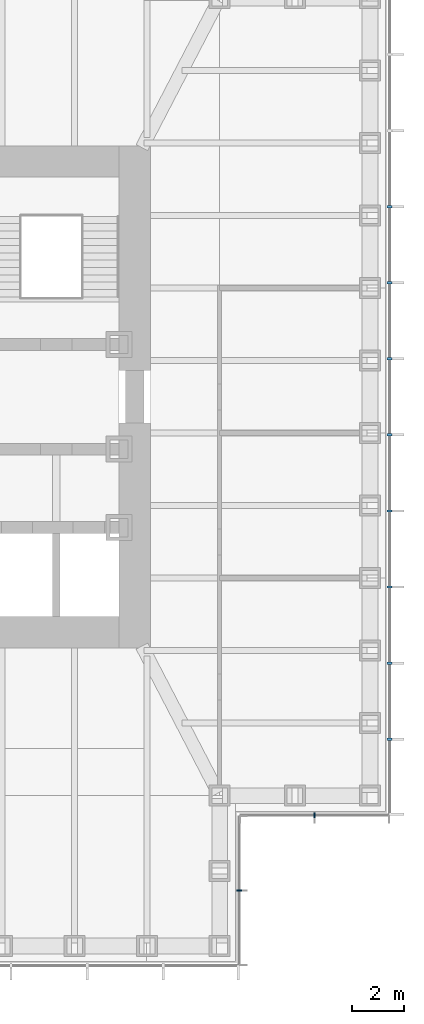
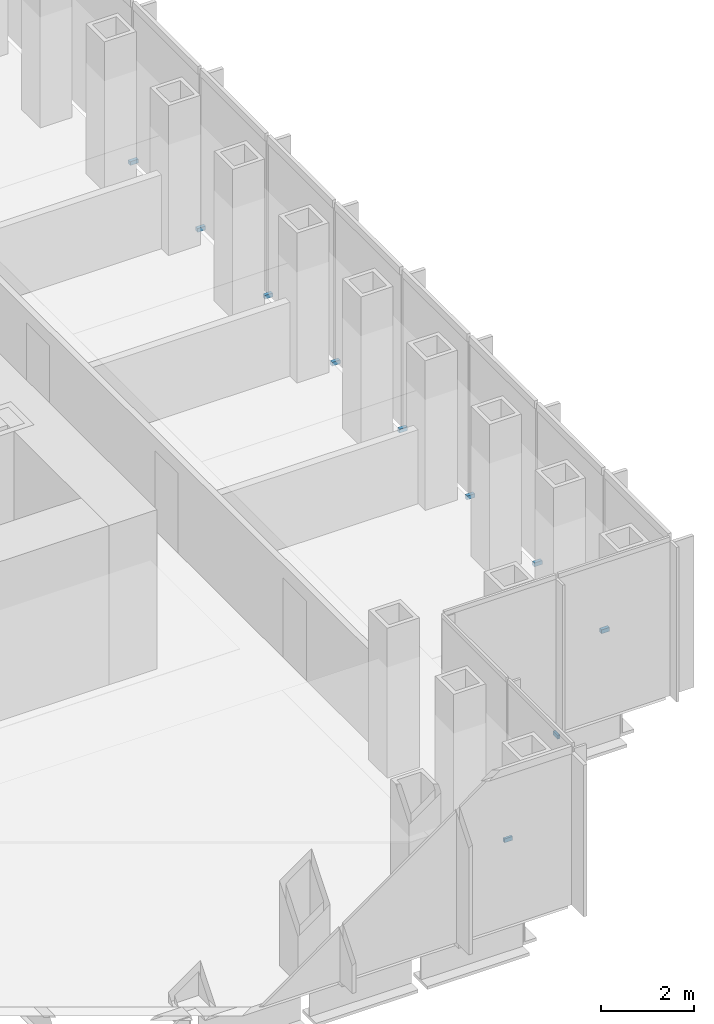
# One storey, part 13 of 16: 10 discrete accessories.
"""IFC4 building model written with IfcOpenShell, lengths in metres."""

from ifc_helpers import new_model, si_unit, direction, frame, origin, origin_2d, place, context, subcontext, project, spatial, rectangle, extrude, element, save


model = new_model("IFC4")

# Units and contexts
model_context = context("Model", 3, precision=1e-05, world=origin(), true_north=direction((0.0, 1.0)))
body_context = subcontext(model_context, "Body", "Model", "MODEL_VIEW")
ifc_project = project(units=[si_unit("LENGTHUNIT", "METRE"), si_unit("AREAUNIT", "SQUARE_METRE"), si_unit("VOLUMEUNIT", "CUBIC_METRE"), si_unit("PLANEANGLEUNIT", "RADIAN"), si_unit("MASSUNIT", "GRAM", prefix="KILO")], contexts=[model_context])

# Site, building, storey
site_placement = place(None, origin())
site = spatial("IfcSite", under=ifc_project, at=site_placement, CompositionType="ELEMENT")
building_placement = place(site_placement, origin())
building = spatial("IfcBuilding", under=site, at=building_placement, Name="Daluyong Arena Tower", CompositionType="ELEMENT")
storey_placement = place(building_placement, frame((0.0, 0.0, 275.5)))
storey = spatial("IfcBuildingStorey", under=building, at=storey_placement, Name="L62", CompositionType="ELEMENT", Elevation=275.5)

# Discrete accessories
for number, where, z_axis, x_axis, name in (
    (1, (72.0, 61.125, -0.10009765625), (0.0, 0.0, 1.0), (0.0, 1.0, 0.0), "curtain wall L62 SE-E anchor bracket 2"),
    (2, (74.875, 64.0, -0.10009765625), (0.0, 0.0, 1.0), (1.0, 0.0, 0.0), "curtain wall L62 SE-S anchor bracket 2"),
):
    element("IfcDiscreteAccessory", number, at=place(storey_placement, frame(where, z_axis=z_axis, x_axis=x_axis)), inside=storey, Name=name, PredefinedType="BRACKET", context=body_context, shape_type="SweptSolid", body=[
        extrude(rectangle(XDim=0.06005859375, YDim=0.199951171875, at=origin_2d()), origin(), (0.0, 0.0, 1.0), 0.10009765625),
    ])
for number, where, z_axis, x_axis, name in (
    (3, (77.75, 66.9091796875, -0.10009765625), (0.0, 0.0, 1.0), (0.0, 1.0, 0.0), "curtain wall L62 E anchor bracket 2"),
    (4, (77.75, 69.818115234375, -0.10009765625), (0.0, 0.0, 1.0), (0.0, 1.0, 0.0), "curtain wall L62 E anchor bracket 3"),
    (5, (77.75, 72.727294921875, -0.10009765625), (0.0, 0.0, 1.0), (0.0, 1.0, 0.0), "curtain wall L62 E anchor bracket 4"),
    (6, (77.75, 75.636474609375, -0.10009765625), (0.0, 0.0, 1.0), (0.0, 1.0, 0.0), "curtain wall L62 E anchor bracket 5"),
    (7, (77.75, 78.54541015625, -0.10009765625), (0.0, 0.0, 1.0), (0.0, 1.0, 0.0), "curtain wall L62 E anchor bracket 6"),
    (8, (77.75, 81.45458984375, -0.10009765625), (0.0, 0.0, 1.0), (0.0, 1.0, 0.0), "curtain wall L62 E anchor bracket 7"),
    (9, (77.75, 84.363525390625, -0.10009765625), (0.0, 0.0, 1.0), (0.0, 1.0, 0.0), "curtain wall L62 E anchor bracket 8"),
    (10, (77.75, 87.272705078125, -0.10009765625), (0.0, 0.0, 1.0), (0.0, 1.0, 0.0), "curtain wall L62 E anchor bracket 9"),
):
    element("IfcDiscreteAccessory", number, at=place(storey_placement, frame(where, z_axis=z_axis, x_axis=x_axis)), inside=storey, Name=name, PredefinedType="BRACKET", context=body_context, shape_type="SweptSolid", body=[
        extrude(rectangle(XDim=0.090087890625, YDim=0.199951171875, at=origin_2d()), origin(), (0.0, 0.0, 1.0), 0.10009765625),
    ])

save(model, "model.ifc")
